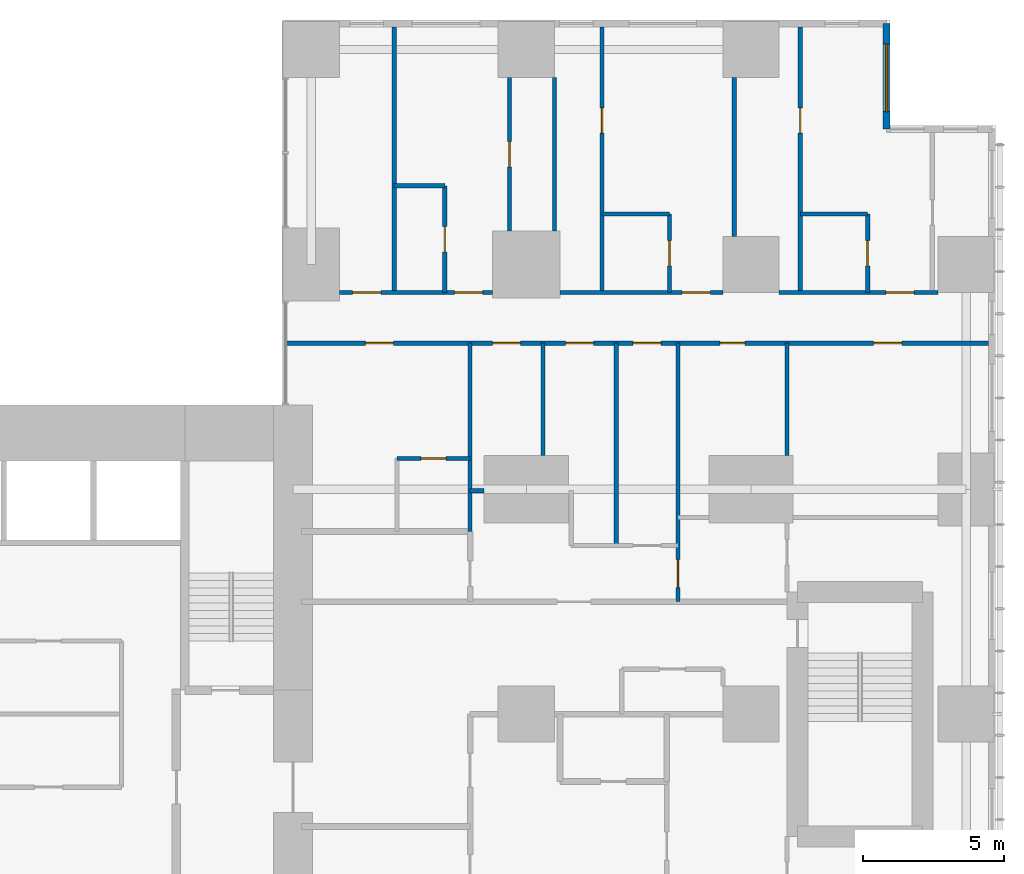
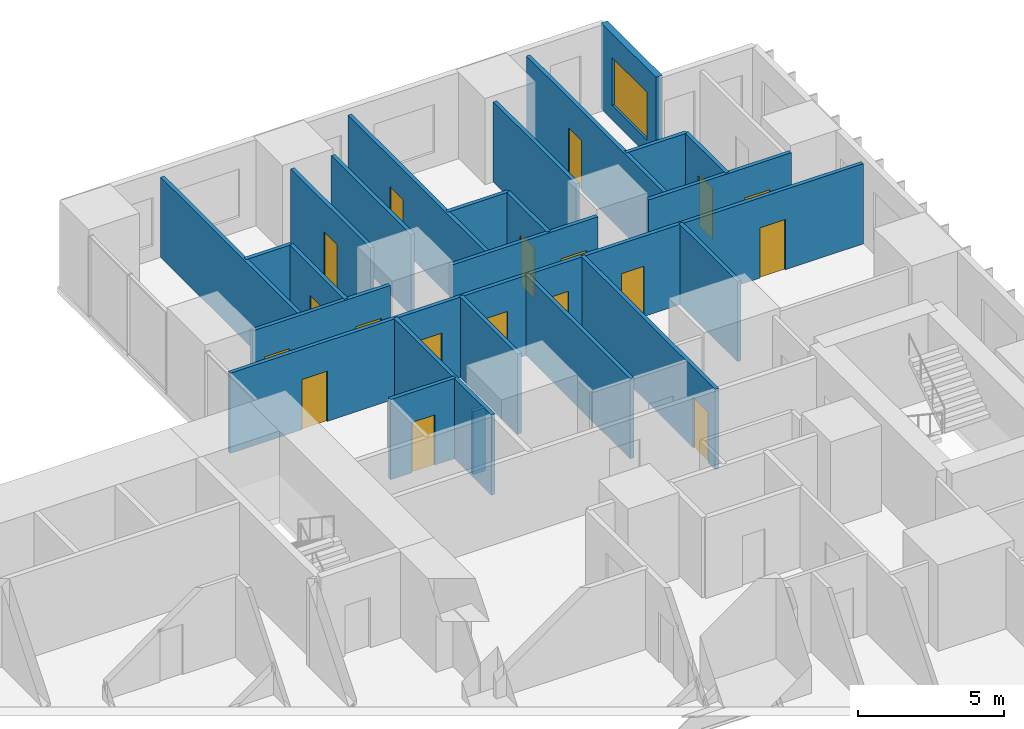
# One storey, part 18 of 21: 24 walls, 18 doors, 1 window, 19 openings.
"""IFC4 building model written with IfcOpenShell, lengths in metres."""

import ifcopenshell
import ifcopenshell.guid

model = None  # the IFC model being written
_history = None  # IfcOwnerHistory: only IFC2X3 demands one
_inside = {}  # id of a spatial element -> (the spatial element, [elements in it])
_under = {}  # id of a project, library or spatial element -> (it, [spatial elements below it])
_declared = {}  # id of a project -> (the project, [libraries it declares])
_typed = {}  # id of a type object -> (the type object, [elements of that type])
_made_of = {}  # id of a material, layer set ... -> (it, [elements and type objects made of it])


def new_model(schema):
    """Start an empty IFC model of exactly this schema.

    Asked for "IFC4X3", IfcOpenShell would pick the latest addendum, in which some entities
    have other attributes; the version numbers below select the first issue.
    IFC2X3 requires an IfcOwnerHistory on every rooted entity: one is made here for all.
    """
    global model, _history
    if schema == "IFC4X3":
        model = ifcopenshell.file(schema_version=(4, 3, 0, 0))
    else:
        model = ifcopenshell.file(schema=schema)
    _inside.clear()
    _under.clear()
    _declared.clear()
    _typed.clear()
    _made_of.clear()
    _history = None
    if model.schema == "IFC2X3":
        org = make("IfcOrganization", Name="unknown")
        user = make(
            "IfcPersonAndOrganization",
            ThePerson=make("IfcPerson", FamilyName="unknown"),
            TheOrganization=org,
        )
        app = make(
            "IfcApplication",
            ApplicationDeveloper=org,
            Version="unknown",
            ApplicationFullName="unknown",
            ApplicationIdentifier="unknown",
        )
        _history = make(
            "IfcOwnerHistory",
            OwningUser=user,
            OwningApplication=app,
            ChangeAction="ADDED",
            CreationDate=0,
        )
    return model


def make(cls, **values):
    """One entity of the class cls with the attributes given. An attribute that is None is left unset."""
    return model.create_entity(
        cls, **{name: value for name, value in values.items() if value is not None}
    )


def rooted(cls, **values):
    """An entity with a GlobalId (a new one), such as an element, a storey or a relation."""
    return make(cls, GlobalId=ifcopenshell.guid.new(), OwnerHistory=_history, **values)


def si_unit(unit_type, name, prefix=None):
    """IfcSIUnit, for example si_unit("LENGTHUNIT", "METRE", prefix="MILLI")."""
    return make("IfcSIUnit", UnitType=unit_type, Prefix=prefix, Name=name)


def assignment(units):
    """IfcUnitAssignment: the units of a project."""
    return None if units is None else make("IfcUnitAssignment", Units=units)


def point(xyz):
    """IfcCartesianPoint."""
    return None if xyz is None else make("IfcCartesianPoint", Coordinates=xyz)


def direction(xyz):
    """IfcDirection."""
    return None if xyz is None else make("IfcDirection", DirectionRatios=xyz)


def frame(location, z_axis=None, x_axis=None):
    """IfcAxis2Placement3D, a coordinate frame: its origin and axes. An axis left out is left unset."""
    return make(
        "IfcAxis2Placement3D",
        Location=point(location),
        Axis=direction(z_axis),
        RefDirection=direction(x_axis),
    )


def frame_2d(location, x_axis=None):
    """IfcAxis2Placement2D, a coordinate frame in the plane: its origin and x axis."""
    return make(
        "IfcAxis2Placement2D", Location=point(location), RefDirection=direction(x_axis)
    )


def origin():
    """The frame at (0, 0, 0) with its axes left unset."""
    return frame((0.0, 0.0, 0.0))


def place(relative_to, where):
    """IfcLocalPlacement: puts the frame where relative to a parent placement (None: the world)."""
    return make(
        "IfcLocalPlacement", PlacementRelTo=relative_to, RelativePlacement=where
    )


def context(
    kind, dimensions, precision=None, world=None, true_north=None, identifier=None
):
    """IfcGeometricRepresentationContext, for example the 3D "Model" context."""
    return make(
        "IfcGeometricRepresentationContext",
        ContextIdentifier=identifier,
        ContextType=kind,
        CoordinateSpaceDimension=dimensions,
        Precision=precision,
        WorldCoordinateSystem=world,
        TrueNorth=true_north,
    )


def subcontext(parent, identifier, kind, view, scale=None):
    """IfcGeometricRepresentationSubContext, for example "Body" below "Model"."""
    return make(
        "IfcGeometricRepresentationSubContext",
        ContextIdentifier=identifier,
        ContextType=kind,
        ParentContext=parent,
        TargetScale=scale,
        TargetView=view,
    )


def project(units=None, contexts=None):
    """IfcProject with its units and contexts."""
    return rooted(
        "IfcProject",
        Name="project",
        RepresentationContexts=contexts,
        UnitsInContext=assignment(units),
    )


def spatial(cls, under=None, at=None, **own):
    """A site, building, storey or space (cls), placed at a placement, below another one or the project."""
    s = rooted(cls, ObjectPlacement=at, **own)
    if under is not None:
        _under.setdefault(under.id(), (under, []))[1].append(s)
    return s


def profile(cls, at=None, kind="AREA", **sizes):
    """A parametric profile (cls). Its sizes go by their IFC names, for example OverallWidth=200.0."""
    return make(cls, ProfileType=kind, Position=at, **sizes)


def rectangle(**sizes):
    """IfcRectangleProfileDef."""
    return profile("IfcRectangleProfileDef", **sizes)


def extrude(swept, where, along, depth):
    """IfcExtrudedAreaSolid: the profile swept, set in the frame where, extruded along a direction by depth."""
    return make(
        "IfcExtrudedAreaSolid",
        SweptArea=swept,
        Position=where,
        ExtrudedDirection=direction(along),
        Depth=depth,
    )


def shape(context_of_items, identifier, shape_type, items):
    """IfcShapeRepresentation: the items that make up one representation, for example the "Body"."""
    return make(
        "IfcShapeRepresentation",
        ContextOfItems=context_of_items,
        RepresentationIdentifier=identifier,
        RepresentationType=shape_type,
        Items=items,
    )


def material(Name=None, Category=None):
    """IfcMaterial."""
    return make("IfcMaterial", Name=Name, Category=Category)


def layer(
    of_material, thickness, ventilated=None, Name=None, Category=None, Priority=None
):
    """IfcMaterialLayer: one layer of a wall or slab, of a material (None: an air gap)."""
    return make(
        "IfcMaterialLayer",
        Material=of_material,
        LayerThickness=thickness,
        IsVentilated=ventilated,
        Name=Name,
        Category=Category,
        Priority=Priority,
    )


def layer_set(layers, Name=None):
    """IfcMaterialLayerSet."""
    return make("IfcMaterialLayerSet", MaterialLayers=layers, LayerSetName=Name)


def made_of(thing, what):
    """Note that an element or type object is made of a material, layer set ...; save() writes the relation."""
    if what is not None:
        _made_of.setdefault(what.id(), (what, []))[1].append(thing)
    return thing


def type_object(cls, material=None, **own):
    """A type object (cls), such as IfcWallType, which elements share."""
    return made_of(rooted(cls, **own), material)


def element(
    cls,
    number,
    at=None,
    inside=None,
    cuts=None,
    type_object=None,
    material=None,
    context=None,
    identifier="Body",
    shape_type=None,
    held_by="IfcProductDefinitionShape",
    body=None,
    shapes=None,
    **own,
):
    """One element of the class cls, such as IfcWall. Its Tag is "e" and its number.

    at: its placement. inside: the storey or other place that contains it. cuts: it is an
    opening in that element (IfcRelVoidsElement). A single representation is given by context,
    identifier, shape_type and body (its items); several are given by shapes. held_by: the class
    of the entity that holds the representations. save() writes the other relations.
    """
    e = rooted(cls, Tag="e%d" % number, ObjectPlacement=at, **own)
    if body is not None:
        shapes = [shape(context, identifier, shape_type, body)]
    if shapes is not None:
        e.Representation = make(held_by, Representations=shapes)
    if inside is not None:
        _inside.setdefault(inside.id(), (inside, []))[1].append(e)
    if cuts is not None:
        rooted(
            "IfcRelVoidsElement", RelatingBuildingElement=cuts, RelatedOpeningElement=e
        )
    if type_object is not None:
        _typed.setdefault(type_object.id(), (type_object, []))[1].append(e)
    return made_of(e, material)


def fill(opening, filler):
    """IfcRelFillsElement: the door or window that sits in an opening."""
    return rooted(
        "IfcRelFillsElement",
        RelatingOpeningElement=opening,
        RelatedBuildingElement=filler,
    )


def aggregate(whole, parts):
    """IfcRelAggregates: a whole, such as a stair, and the parts it consists of."""
    return rooted("IfcRelAggregates", RelatingObject=whole, RelatedObjects=parts)


def save(model, path):
    """Write the relations noted so far, then the file.

    IfcRelAggregates (storeys below a building ...), IfcRelContainedInSpatialStructure (elements
    in a storey), IfcRelDefinesByType, IfcRelAssociatesMaterial and IfcRelDeclares: one each for
    every whole, place, type object, material and project.
    """
    for whole, parts in _under.values():
        aggregate(whole, parts)
    for where, things in _inside.values():
        rooted(
            "IfcRelContainedInSpatialStructure",
            RelatedElements=things,
            RelatingStructure=where,
        )
    for kind, things in _typed.values():
        rooted("IfcRelDefinesByType", RelatedObjects=things, RelatingType=kind)
    for what, things in _made_of.values():
        rooted("IfcRelAssociatesMaterial", RelatedObjects=things, RelatingMaterial=what)
    for by, libraries in _declared.values():
        rooted("IfcRelDeclares", RelatingContext=by, RelatedDefinitions=libraries)
    model.write(path)


model = new_model("IFC4")

# Units and contexts
model_context = context("Model", 3, precision=1e-05, world=origin(), true_north=direction((0.0, 1.0)))
body_context = subcontext(model_context, "Body", "Model", "MODEL_VIEW")
ifc_project = project(units=[si_unit("LENGTHUNIT", "METRE"), si_unit("AREAUNIT", "SQUARE_METRE"), si_unit("VOLUMEUNIT", "CUBIC_METRE"), si_unit("PLANEANGLEUNIT", "RADIAN"), si_unit("MASSUNIT", "GRAM", prefix="KILO")], contexts=[model_context])

# Site, building, storey
site_placement = place(None, origin())
site = spatial("IfcSite", under=ifc_project, at=site_placement, CompositionType="ELEMENT")
building_placement = place(site_placement, origin())
building = spatial("IfcBuilding", under=site, at=building_placement, Name="Cleftline Residences", CompositionType="ELEMENT")
storey_placement = place(building_placement, frame((0.0, 0.0, 58.39990234375)))
storey = spatial("IfcBuildingStorey", under=building, at=storey_placement, Name="L14", CompositionType="ELEMENT", Elevation=58.39990234375)

# Wall, opening, window
ifc_material_1 = material(Name="Rendered reinforced concrete blockwork", Category="masonry")
ifc_layer_1 = layer(ifc_material_1, 0.25)
ifc_layer_set_1 = layer_set([ifc_layer_1], Name="EXTERNAL WALL 250")
wall_type_1 = type_object("IfcWallType", Name="EXTERNAL WALL 250", PredefinedType="SOLIDWALL", material=ifc_layer_set_1)
wall_1_placement = place(storey_placement, frame((62.824951171875, 44.824951171875, 0.0), z_axis=(0.0, 0.0, 1.0), x_axis=(0.0, 1.0, 0.0)))
wall_1 = element("IfcWall", 1, at=wall_1_placement, inside=storey, type_object=wall_type_1, Name="External wall", PredefinedType="SOLIDWALL", context=body_context, shape_type="SweptSolid", body=[
    extrude(rectangle(XDim=3.75, YDim=0.25, at=frame_2d((1.875, 0.0))), origin(), (0.0, 0.0, 1.0), 3.60009765625),
])
opening_1_placement = place(wall_1_placement, frame((0.612548828125, 0.0, 0.60009765625)))
opening_1 = element("IfcOpeningElement", 2, at=opening_1_placement, cuts=wall_1, Name="Opening W6", PredefinedType="OPENING", context=body_context, shape_type="SweptSolid", body=[
    extrude(rectangle(XDim=2.39990234375, YDim=2.0, at=frame_2d((1.199951171875, 1.0))), frame((0.0, 0.135009765625, 0.0), z_axis=(0.0, -1.0, 0.0), x_axis=(1.0, 0.0, 0.0)), (0.0, 0.0, 1.0), 0.27001953125),
])
ifc_material_2 = material(Name="Aluminium frame, clear double glazing", Category="aluminium")
window_type = type_object("IfcWindowType", Name="WINDOW 2400X2000", PartitioningType="DOUBLE_PANEL_VERTICAL", PredefinedType="WINDOW", material=ifc_material_2)
window_placement = place(opening_1_placement, origin())
window = element("IfcWindow", 3, at=window_placement, inside=storey, type_object=window_type, Name="Window", OverallHeight=2.0, OverallWidth=2.39990234375, PartitioningType="SINGLE_PANEL", PredefinedType="WINDOW", context=body_context, shape_type="SweptSolid", body=[
    extrude(rectangle(XDim=2.39990234375, YDim=2.0, at=frame_2d((1.199951171875, 1.0))), frame((0.0, 0.030029296875, 0.0), z_axis=(0.0, -1.0, 0.0), x_axis=(1.0, 0.0, 0.0)), (0.0, 0.0, 1.0), 0.06005859375),
])
fill(opening_1, window)

# Wall
ifc_material_3 = material(Name="Gypsum board on steel studs", Category="steel")
ifc_layer_2 = layer(ifc_material_3, 0.14990234375)
ifc_layer_set_2 = layer_set([ifc_layer_2], Name="PARTITION 150")
wall_type_2 = type_object("IfcWallType", Name="PARTITION 150", PredefinedType="PARTITIONING", material=ifc_layer_set_2)
wall_2_placement = place(storey_placement, frame((48.0, 31.949951171875, 0.0), z_axis=(0.0, 0.0, 1.0), x_axis=(1.0, 0.0, 0.0)))
element("IfcWall", 4, at=wall_2_placement, inside=storey, type_object=wall_type_2, Name="Partition", PredefinedType="PARTITIONING", context=body_context, shape_type="SweptSolid", body=[
    extrude(rectangle(XDim=0.5, YDim=0.14990234375, at=frame_2d((0.25, 0.0))), origin(), (0.0, 0.0, 1.0), 2.634033203125),
])

# Wall, opening, door
wall_3_placement = place(storey_placement, frame((45.39990234375, 33.10009765625, 0.0), z_axis=(0.0, 0.0, 1.0), x_axis=(1.0, 0.0, 0.0)))
wall_3 = element("IfcWall", 5, at=wall_3_placement, inside=storey, type_object=wall_type_2, Name="Partition", PredefinedType="PARTITIONING", context=body_context, shape_type="SweptSolid", body=[
    extrude(rectangle(XDim=2.60009765625, YDim=0.14990234375, at=frame_2d((1.300048828125, 0.0))), origin(), (0.0, 0.0, 1.0), 3.35009765625),
])
opening_2_placement = place(wall_3_placement, frame((0.85009765625, 0.0, 0.0)))
opening_2 = element("IfcOpeningElement", 6, at=opening_2_placement, cuts=wall_3, Name="Opening D1", PredefinedType="OPENING", context=body_context, shape_type="SweptSolid", body=[
    extrude(rectangle(XDim=0.89990234375, YDim=2.10009765625, at=frame_2d((0.449951171875, 1.050048828125))), frame((0.0, 0.0849609375, 0.0), z_axis=(0.0, -1.0, 0.0), x_axis=(1.0, 0.0, 0.0)), (0.0, 0.0, 1.0), 0.169921875),
])
ifc_material_4 = material(Name="Timber veneer on solid core", Category="wood")
door_type_1 = type_object("IfcDoorType", Name="DOOR 900X2100", OperationType="SINGLE_SWING_LEFT", PredefinedType="DOOR", material=ifc_material_4)
door_1_placement = place(opening_2_placement, origin())
door_1 = element("IfcDoor", 7, at=door_1_placement, inside=storey, type_object=door_type_1, Name="Door to master bathroom", OperationType="SINGLE_SWING_LEFT", OverallHeight=2.10009765625, OverallWidth=0.89990234375, PredefinedType="DOOR", context=body_context, shape_type="SweptSolid", body=[
    extrude(rectangle(XDim=0.89990234375, YDim=2.10009765625, at=frame_2d((0.449951171875, 1.050048828125))), frame((0.0, 0.02490234375, 0.0), z_axis=(0.0, -1.0, 0.0), x_axis=(1.0, 0.0, 0.0)), (0.0, 0.0, 1.0), 0.050048828125),
])
fill(opening_2, door_1)

# Wall, openings, doors
wall_4_placement = place(storey_placement, frame((41.43896484375, 37.199951171875, 0.0), z_axis=(0.0, 0.0, 1.0), x_axis=(1.0, 0.0, 0.0)))
wall_4 = element("IfcWall", 8, at=wall_4_placement, inside=storey, type_object=wall_type_2, Name="Partition", PredefinedType="PARTITIONING", context=body_context, shape_type="SweptSolid", body=[
    extrude(rectangle(XDim=25.010986328125, YDim=0.14990234375, at=frame_2d((12.50537109375, 0.0))), origin(), (0.0, 0.0, 1.0), 3.35009765625),
])
opening_3_placement = place(wall_4_placement, frame((12.361083984375, 0.0, 0.0)))
opening_3 = element("IfcOpeningElement", 9, at=opening_3_placement, cuts=wall_4, Name="Opening D2", PredefinedType="OPENING", context=body_context, shape_type="SweptSolid", body=[
    extrude(rectangle(XDim=1.0, YDim=2.10009765625, at=frame_2d((0.5, 1.050048828125))), frame((0.0, 0.0849609375, 0.0), z_axis=(0.0, -1.0, 0.0), x_axis=(1.0, 0.0, 0.0)), (0.0, 0.0, 1.0), 0.169921875),
])
opening_4_placement = place(wall_4_placement, frame((20.923583984375, 0.0, 0.0)))
opening_4 = element("IfcOpeningElement", 10, at=opening_4_placement, cuts=wall_4, Name="Opening D2", PredefinedType="OPENING", context=body_context, shape_type="SweptSolid", body=[
    extrude(rectangle(XDim=1.0, YDim=2.10009765625, at=frame_2d((0.5, 1.050048828125))), frame((0.0, 0.0849609375, 0.0), z_axis=(0.0, -1.0, 0.0), x_axis=(1.0, 0.0, 0.0)), (0.0, 0.0, 1.0), 0.169921875),
])
opening_5_placement = place(wall_4_placement, frame((15.448486328125, 0.0, 0.0)))
opening_5 = element("IfcOpeningElement", 11, at=opening_5_placement, cuts=wall_4, Name="Opening D1", PredefinedType="OPENING", context=body_context, shape_type="SweptSolid", body=[
    extrude(rectangle(XDim=0.89990234375, YDim=2.10009765625, at=frame_2d((0.449951171875, 1.050048828125))), frame((0.0, 0.0849609375, 0.0), z_axis=(0.0, -1.0, 0.0), x_axis=(1.0, 0.0, 0.0)), (0.0, 0.0, 1.0), 0.169921875),
])
opening_6_placement = place(wall_4_placement, frame((9.9609375, 0.0, 0.0)))
opening_6 = element("IfcOpeningElement", 12, at=opening_6_placement, cuts=wall_4, Name="Opening D2", PredefinedType="OPENING", context=body_context, shape_type="SweptSolid", body=[
    extrude(rectangle(XDim=1.0, YDim=2.10009765625, at=frame_2d((0.5, 1.050048828125))), frame((0.0, 0.0849609375, 0.0), z_axis=(0.0, -1.0, 0.0), x_axis=(1.0, 0.0, 0.0)), (0.0, 0.0, 1.0), 0.169921875),
])
opening_7_placement = place(wall_4_placement, frame((7.361083984375, 0.0, 0.0)))
opening_7 = element("IfcOpeningElement", 13, at=opening_7_placement, cuts=wall_4, Name="Opening D2", PredefinedType="OPENING", context=body_context, shape_type="SweptSolid", body=[
    extrude(rectangle(XDim=1.0, YDim=2.10009765625, at=frame_2d((0.5, 1.050048828125))), frame((0.0, 0.0849609375, 0.0), z_axis=(0.0, -1.0, 0.0), x_axis=(1.0, 0.0, 0.0)), (0.0, 0.0, 1.0), 0.169921875),
])
opening_8_placement = place(wall_4_placement, frame((2.8359375, 0.0, 0.0)))
opening_8 = element("IfcOpeningElement", 14, at=opening_8_placement, cuts=wall_4, Name="Opening D2", PredefinedType="OPENING", context=body_context, shape_type="SweptSolid", body=[
    extrude(rectangle(XDim=1.0, YDim=2.10009765625, at=frame_2d((0.5, 1.050048828125))), frame((0.0, 0.0849609375, 0.0), z_axis=(0.0, -1.0, 0.0), x_axis=(1.0, 0.0, 0.0)), (0.0, 0.0, 1.0), 0.169921875),
])
ifc_material_5 = material(Name="Timber veneer on solid core", Category="wood")
door_type_2 = type_object("IfcDoorType", Name="DOOR 1000X2100", OperationType="SINGLE_SWING_LEFT", PredefinedType="DOOR", material=ifc_material_5)
door_2_placement = place(opening_3_placement, origin())
door_2 = element("IfcDoor", 15, at=door_2_placement, inside=storey, type_object=door_type_2, Name="Door to residence hall", OperationType="SINGLE_SWING_LEFT", OverallHeight=2.10009765625, OverallWidth=1.0, PredefinedType="DOOR", context=body_context, shape_type="SweptSolid", body=[
    extrude(rectangle(XDim=1.0, YDim=2.10009765625, at=frame_2d((0.5, 1.050048828125))), frame((0.0, 0.02490234375, 0.0), z_axis=(0.0, -1.0, 0.0), x_axis=(1.0, 0.0, 0.0)), (0.0, 0.0, 1.0), 0.050048828125),
])
fill(opening_3, door_2)
door_3_placement = place(opening_4_placement, origin())
door_3 = element("IfcDoor", 16, at=door_3_placement, inside=storey, type_object=door_type_2, Name="Door to sea-view living and dining room", OperationType="SINGLE_SWING_LEFT", OverallHeight=2.10009765625, OverallWidth=1.0, PredefinedType="DOOR", context=body_context, shape_type="SweptSolid", body=[
    extrude(rectangle(XDim=1.0, YDim=2.10009765625, at=frame_2d((0.5, 1.050048828125))), frame((0.0, 0.02490234375, 0.0), z_axis=(0.0, -1.0, 0.0), x_axis=(1.0, 0.0, 0.0)), (0.0, 0.0, 1.0), 0.050048828125),
])
fill(opening_4, door_3)
door_4_placement = place(opening_6_placement, origin())
door_4 = element("IfcDoor", 17, at=door_4_placement, inside=storey, type_object=door_type_2, Name="Door to show kitchen", OperationType="SINGLE_SWING_RIGHT", OverallHeight=2.10009765625, OverallWidth=1.0, PredefinedType="DOOR", context=body_context, shape_type="SweptSolid", body=[
    extrude(rectangle(XDim=1.0, YDim=2.10009765625, at=frame_2d((0.5, 1.050048828125))), frame((0.0, 0.02490234375, 0.0), z_axis=(0.0, -1.0, 0.0), x_axis=(1.0, 0.0, 0.0)), (0.0, 0.0, 1.0), 0.050048828125),
])
fill(opening_6, door_4)
door_5_placement = place(opening_7_placement, origin())
door_5 = element("IfcDoor", 18, at=door_5_placement, inside=storey, type_object=door_type_2, Name="Door to wet kitchen", OperationType="SINGLE_SWING_RIGHT", OverallHeight=2.10009765625, OverallWidth=1.0, PredefinedType="DOOR", context=body_context, shape_type="SweptSolid", body=[
    extrude(rectangle(XDim=1.0, YDim=2.10009765625, at=frame_2d((0.5, 1.050048828125))), frame((0.0, 0.02490234375, 0.0), z_axis=(0.0, -1.0, 0.0), x_axis=(1.0, 0.0, 0.0)), (0.0, 0.0, 1.0), 0.050048828125),
])
fill(opening_7, door_5)
door_6_placement = place(opening_8_placement, origin())
door_6 = element("IfcDoor", 19, at=door_6_placement, inside=storey, type_object=door_type_2, Name="Door to master bedroom", OperationType="SINGLE_SWING_RIGHT", OverallHeight=2.10009765625, OverallWidth=1.0, PredefinedType="DOOR", context=body_context, shape_type="SweptSolid", body=[
    extrude(rectangle(XDim=1.0, YDim=2.10009765625, at=frame_2d((0.5, 1.050048828125))), frame((0.0, 0.02490234375, 0.0), z_axis=(0.0, -1.0, 0.0), x_axis=(1.0, 0.0, 0.0)), (0.0, 0.0, 1.0), 0.050048828125),
])
fill(opening_8, door_6)
door_7_placement = place(opening_5_placement, origin())
door_7 = element("IfcDoor", 20, at=door_7_placement, inside=storey, type_object=door_type_1, Name="Door to store room", OperationType="SINGLE_SWING_LEFT", OverallHeight=2.10009765625, OverallWidth=0.89990234375, PredefinedType="DOOR", context=body_context, shape_type="SweptSolid", body=[
    extrude(rectangle(XDim=0.89990234375, YDim=2.10009765625, at=frame_2d((0.449951171875, 1.050048828125))), frame((0.0, 0.02490234375, 0.0), z_axis=(0.0, -1.0, 0.0), x_axis=(1.0, 0.0, 0.0)), (0.0, 0.0, 1.0), 0.050048828125),
])
fill(opening_5, door_7)

wall_5_placement = place(storey_placement, frame((43.35009765625, 39.0, 0.0), z_axis=(0.0, 0.0, 1.0), x_axis=(1.0, 0.0, 0.0)))
wall_5 = element("IfcWall", 21, at=wall_5_placement, inside=storey, type_object=wall_type_2, Name="Partition", PredefinedType="PARTITIONING", context=body_context, shape_type="SweptSolid", body=[
    extrude(rectangle(XDim=5.449951171875, YDim=0.14990234375, at=frame_2d((2.72509765625, 0.0))), origin(), (0.0, 0.0, 1.0), 3.35009765625),
])
opening_9_placement = place(wall_5_placement, frame((4.10009765625, 0.0, 0.0)))
opening_9 = element("IfcOpeningElement", 22, at=opening_9_placement, cuts=wall_5, Name="Opening D2", PredefinedType="OPENING", context=body_context, shape_type="SweptSolid", body=[
    extrude(rectangle(XDim=1.0, YDim=2.10009765625, at=frame_2d((0.5, 1.050048828125))), frame((0.0, 0.0849609375, 0.0), z_axis=(0.0, -1.0, 0.0), x_axis=(1.0, 0.0, 0.0)), (0.0, 0.0, 1.0), 0.169921875),
])
opening_10_placement = place(wall_5_placement, frame((0.47509765625, 0.0, 0.0)))
opening_10 = element("IfcOpeningElement", 23, at=opening_10_placement, cuts=wall_5, Name="Opening D2", PredefinedType="OPENING", context=body_context, shape_type="SweptSolid", body=[
    extrude(rectangle(XDim=1.0, YDim=2.10009765625, at=frame_2d((0.5, 1.050048828125))), frame((0.0, 0.0849609375, 0.0), z_axis=(0.0, -1.0, 0.0), x_axis=(1.0, 0.0, 0.0)), (0.0, 0.0, 1.0), 0.169921875),
])
door_8_placement = place(opening_9_placement, origin())
door_8 = element("IfcDoor", 24, at=door_8_placement, inside=storey, type_object=door_type_2, Name="Door to bedroom 4", OperationType="SINGLE_SWING_LEFT", OverallHeight=2.10009765625, OverallWidth=1.0, PredefinedType="DOOR", context=body_context, shape_type="SweptSolid", body=[
    extrude(rectangle(XDim=1.0, YDim=2.10009765625, at=frame_2d((0.5, 1.050048828125))), frame((0.0, 0.02490234375, 0.0), z_axis=(0.0, -1.0, 0.0), x_axis=(1.0, 0.0, 0.0)), (0.0, 0.0, 1.0), 0.050048828125),
])
fill(opening_9, door_8)
door_9_placement = place(opening_10_placement, origin())
door_9 = element("IfcDoor", 25, at=door_9_placement, inside=storey, type_object=door_type_2, Name="Door to family room", OperationType="SINGLE_SWING_RIGHT", OverallHeight=2.10009765625, OverallWidth=1.0, PredefinedType="DOOR", context=body_context, shape_type="SweptSolid", body=[
    extrude(rectangle(XDim=1.0, YDim=2.10009765625, at=frame_2d((0.5, 1.050048828125))), frame((0.0, 0.02490234375, 0.0), z_axis=(0.0, -1.0, 0.0), x_axis=(1.0, 0.0, 0.0)), (0.0, 0.0, 1.0), 0.050048828125),
])
fill(opening_10, door_9)

# Wall, opening, door
wall_6_placement = place(storey_placement, frame((51.199951171875, 39.0, 0.0), z_axis=(0.0, 0.0, 1.0), x_axis=(1.0, 0.0, 0.0)))
wall_6 = element("IfcWall", 26, at=wall_6_placement, inside=storey, type_object=wall_type_2, Name="Partition", PredefinedType="PARTITIONING", context=body_context, shape_type="SweptSolid", body=[
    extrude(rectangle(XDim=5.800048828125, YDim=0.14990234375, at=frame_2d((2.89990234375, 0.0))), origin(), (0.0, 0.0, 1.0), 3.35009765625),
])
opening_11_placement = place(wall_6_placement, frame((4.35009765625, 0.0, 0.0)))
opening_11 = element("IfcOpeningElement", 27, at=opening_11_placement, cuts=wall_6, Name="Opening D2", PredefinedType="OPENING", context=body_context, shape_type="SweptSolid", body=[
    extrude(rectangle(XDim=1.0, YDim=2.10009765625, at=frame_2d((0.5, 1.050048828125))), frame((0.0, 0.0849609375, 0.0), z_axis=(0.0, -1.0, 0.0), x_axis=(1.0, 0.0, 0.0)), (0.0, 0.0, 1.0), 0.169921875),
])
door_10_placement = place(opening_11_placement, origin())
door_10 = element("IfcDoor", 28, at=door_10_placement, inside=storey, type_object=door_type_2, Name="Door to bedroom 3", OperationType="SINGLE_SWING_LEFT", OverallHeight=2.10009765625, OverallWidth=1.0, PredefinedType="DOOR", context=body_context, shape_type="SweptSolid", body=[
    extrude(rectangle(XDim=1.0, YDim=2.10009765625, at=frame_2d((0.5, 1.050048828125))), frame((0.0, 0.02490234375, 0.0), z_axis=(0.0, -1.0, 0.0), x_axis=(1.0, 0.0, 0.0)), (0.0, 0.0, 1.0), 0.050048828125),
])
fill(opening_11, door_10)

wall_7_placement = place(storey_placement, frame((59.0, 39.0, 0.0), z_axis=(0.0, 0.0, 1.0), x_axis=(1.0, 0.0, 0.0)))
wall_7 = element("IfcWall", 29, at=wall_7_placement, inside=storey, type_object=wall_type_2, Name="Partition", PredefinedType="PARTITIONING", context=body_context, shape_type="SweptSolid", body=[
    extrude(rectangle(XDim=5.64990234375, YDim=0.14990234375, at=frame_2d((2.824951171875, 0.0))), origin(), (0.0, 0.0, 1.0), 3.35009765625),
])
opening_12_placement = place(wall_7_placement, frame((3.800048828125, 0.0, 0.0)))
opening_12 = element("IfcOpeningElement", 30, at=opening_12_placement, cuts=wall_7, Name="Opening D2", PredefinedType="OPENING", context=body_context, shape_type="SweptSolid", body=[
    extrude(rectangle(XDim=1.0, YDim=2.10009765625, at=frame_2d((0.5, 1.050048828125))), frame((0.0, 0.0849609375, 0.0), z_axis=(0.0, -1.0, 0.0), x_axis=(1.0, 0.0, 0.0)), (0.0, 0.0, 1.0), 0.169921875),
])
door_11_placement = place(opening_12_placement, origin())
door_11 = element("IfcDoor", 31, at=door_11_placement, inside=storey, type_object=door_type_2, Name="Door to bedroom 2", OperationType="SINGLE_SWING_LEFT", OverallHeight=2.10009765625, OverallWidth=1.0, PredefinedType="DOOR", context=body_context, shape_type="SweptSolid", body=[
    extrude(rectangle(XDim=1.0, YDim=2.10009765625, at=frame_2d((0.5, 1.050048828125))), frame((0.0, 0.02490234375, 0.0), z_axis=(0.0, -1.0, 0.0), x_axis=(1.0, 0.0, 0.0)), (0.0, 0.0, 1.0), 0.050048828125),
])
fill(opening_12, door_11)

# Walls
wall_8_placement = place(storey_placement, frame((52.699951171875, 41.800048828125, 0.0), z_axis=(0.0, 0.0, 1.0), x_axis=(1.0, 0.0, 0.0)))
element("IfcWall", 32, at=wall_8_placement, inside=storey, type_object=wall_type_2, Name="Partition", PredefinedType="PARTITIONING", context=body_context, shape_type="SweptSolid", body=[
    extrude(rectangle(XDim=2.400146484375, YDim=0.14990234375, at=frame_2d((1.2001953125, 0.0))), origin(), (0.0, 0.0, 1.0), 3.35009765625),
])
wall_9_placement = place(storey_placement, frame((59.75, 41.800048828125, 0.0), z_axis=(0.0, 0.0, 1.0), x_axis=(1.0, 0.0, 0.0)))
element("IfcWall", 33, at=wall_9_placement, inside=storey, type_object=wall_type_2, Name="Partition", PredefinedType="PARTITIONING", context=body_context, shape_type="SweptSolid", body=[
    extrude(rectangle(XDim=2.39990234375, YDim=0.14990234375, at=frame_2d((1.199951171875, 0.0))), origin(), (0.0, 0.0, 1.0), 3.35009765625),
])
wall_10_placement = place(storey_placement, frame((45.300048828125, 42.800048828125, 0.0), z_axis=(0.0, 0.0, 1.0), x_axis=(1.0, 0.0, 0.0)))
element("IfcWall", 34, at=wall_10_placement, inside=storey, type_object=wall_type_2, Name="Partition", PredefinedType="PARTITIONING", context=body_context, shape_type="SweptSolid", body=[
    extrude(rectangle(XDim=1.800048828125, YDim=0.14990234375, at=frame_2d((0.89990234375, 0.0))), origin(), (0.0, 0.0, 1.0), 3.35009765625),
])
wall_11_placement = place(storey_placement, frame((45.300048828125, 39.0, 0.0), z_axis=(0.0, 0.0, 1.0), x_axis=(0.0, 1.0, 0.0)))
element("IfcWall", 35, at=wall_11_placement, inside=storey, type_object=wall_type_2, Name="Partition", PredefinedType="PARTITIONING", context=body_context, shape_type="SweptSolid", body=[
    extrude(rectangle(XDim=9.449951171875, YDim=0.14990234375, at=frame_2d((4.72509765625, 0.0))), origin(), (0.0, 0.0, 1.0), 3.35009765625),
])

# Wall, opening, door
wall_12_placement = place(storey_placement, frame((47.10009765625, 39.0, 0.0), z_axis=(0.0, 0.0, 1.0), x_axis=(0.0, 1.0, 0.0)))
wall_12 = element("IfcWall", 36, at=wall_12_placement, inside=storey, type_object=wall_type_2, Name="Partition", PredefinedType="PARTITIONING", context=body_context, shape_type="SweptSolid", body=[
    extrude(rectangle(XDim=3.800048828125, YDim=0.14990234375, at=frame_2d((1.89990234375, 0.0))), origin(), (0.0, 0.0, 1.0), 3.35009765625),
])
opening_13_placement = place(wall_12_placement, frame((1.449951171875, 0.0, 0.0)))
opening_13 = element("IfcOpeningElement", 37, at=opening_13_placement, cuts=wall_12, Name="Opening D1", PredefinedType="OPENING", context=body_context, shape_type="SweptSolid", body=[
    extrude(rectangle(XDim=0.89990234375, YDim=2.10009765625, at=frame_2d((0.449951171875, 1.050048828125))), frame((0.0, 0.0849609375, 0.0), z_axis=(0.0, -1.0, 0.0), x_axis=(1.0, 0.0, 0.0)), (0.0, 0.0, 1.0), 0.169921875),
])
door_12_placement = place(opening_13_placement, origin())
door_12 = element("IfcDoor", 38, at=door_12_placement, inside=storey, type_object=door_type_1, Name="Door to en-suite bathroom 4", OperationType="SINGLE_SWING_LEFT", OverallHeight=2.10009765625, OverallWidth=0.89990234375, PredefinedType="DOOR", context=body_context, shape_type="SweptSolid", body=[
    extrude(rectangle(XDim=0.89990234375, YDim=2.10009765625, at=frame_2d((0.449951171875, 1.050048828125))), frame((0.0, 0.02490234375, 0.0), z_axis=(0.0, -1.0, 0.0), x_axis=(1.0, 0.0, 0.0)), (0.0, 0.0, 1.0), 0.050048828125),
])
fill(opening_13, door_12)

# Wall
wall_13_placement = place(storey_placement, frame((48.0, 30.5, 0.0), z_axis=(0.0, 0.0, 1.0), x_axis=(0.0, 1.0, 0.0)))
element("IfcWall", 39, at=wall_13_placement, inside=storey, type_object=wall_type_2, Name="Partition", PredefinedType="PARTITIONING", context=body_context, shape_type="SweptSolid", body=[
    extrude(rectangle(XDim=6.699951171875, YDim=0.14990234375, at=frame_2d((3.35009765625, 0.0))), origin(), (0.0, 0.0, 1.0), 3.35009765625),
])

# Wall, opening, door
wall_14_placement = place(storey_placement, frame((49.39990234375, 41.199951171875, 0.0), z_axis=(0.0, 0.0, 1.0), x_axis=(0.0, 1.0, 0.0)))
wall_14 = element("IfcWall", 40, at=wall_14_placement, inside=storey, type_object=wall_type_2, Name="Partition", PredefinedType="PARTITIONING", context=body_context, shape_type="SweptSolid", body=[
    extrude(rectangle(XDim=5.449951171875, YDim=0.14990234375, at=frame_2d((2.72509765625, 0.0))), origin(), (0.0, 0.0, 1.0), 3.35009765625),
])
opening_14_placement = place(wall_14_placement, frame((2.27490234375, 0.0, 0.0)))
opening_14 = element("IfcOpeningElement", 41, at=opening_14_placement, cuts=wall_14, Name="Opening D1", PredefinedType="OPENING", context=body_context, shape_type="SweptSolid", body=[
    extrude(rectangle(XDim=0.89990234375, YDim=2.10009765625, at=frame_2d((0.449951171875, 1.050048828125))), frame((0.0, 0.0849609375, 0.0), z_axis=(0.0, -1.0, 0.0), x_axis=(1.0, 0.0, 0.0)), (0.0, 0.0, 1.0), 0.169921875),
])
door_13_placement = place(opening_14_placement, origin())
door_13 = element("IfcDoor", 42, at=door_13_placement, inside=storey, type_object=door_type_1, Name="Door to walk-in wardrobe", OperationType="SINGLE_SWING_LEFT", OverallHeight=2.10009765625, OverallWidth=0.89990234375, PredefinedType="DOOR", context=body_context, shape_type="SweptSolid", body=[
    extrude(rectangle(XDim=0.89990234375, YDim=2.10009765625, at=frame_2d((0.449951171875, 1.050048828125))), frame((0.0, 0.02490234375, 0.0), z_axis=(0.0, -1.0, 0.0), x_axis=(1.0, 0.0, 0.0)), (0.0, 0.0, 1.0), 0.050048828125),
])
fill(opening_14, door_13)

# Walls
wall_15_placement = place(storey_placement, frame((50.60009765625, 33.199951171875, 0.0), z_axis=(0.0, 0.0, 1.0), x_axis=(0.0, 1.0, 0.0)))
element("IfcWall", 43, at=wall_15_placement, inside=storey, type_object=wall_type_2, Name="Partition", PredefinedType="PARTITIONING", context=body_context, shape_type="SweptSolid", body=[
    extrude(rectangle(XDim=4.0, YDim=0.14990234375, at=frame_2d((2.0, 0.0))), origin(), (0.0, 0.0, 1.0), 3.35009765625),
])
wall_16_placement = place(storey_placement, frame((51.0, 41.199951171875, 0.0), z_axis=(0.0, 0.0, 1.0), x_axis=(0.0, 1.0, 0.0)))
element("IfcWall", 44, at=wall_16_placement, inside=storey, type_object=wall_type_2, Name="Partition", PredefinedType="PARTITIONING", context=body_context, shape_type="SweptSolid", body=[
    extrude(rectangle(XDim=5.449951171875, YDim=0.14990234375, at=frame_2d((2.72509765625, 0.0))), origin(), (0.0, 0.0, 1.0), 3.35009765625),
])

# Wall, opening, door
wall_17_placement = place(storey_placement, frame((52.699951171875, 39.0, 0.0), z_axis=(0.0, 0.0, 1.0), x_axis=(0.0, 1.0, 0.0)))
wall_17 = element("IfcWall", 45, at=wall_17_placement, inside=storey, type_object=wall_type_2, Name="Partition", PredefinedType="PARTITIONING", context=body_context, shape_type="SweptSolid", body=[
    extrude(rectangle(XDim=9.449951171875, YDim=0.14990234375, at=frame_2d((4.72509765625, 0.0))), origin(), (0.0, 0.0, 1.0), 3.35009765625),
])
opening_15_placement = place(wall_17_placement, frame((5.675048828125, 0.0, 0.0)))
opening_15 = element("IfcOpeningElement", 46, at=opening_15_placement, cuts=wall_17, Name="Opening D1", PredefinedType="OPENING", context=body_context, shape_type="SweptSolid", body=[
    extrude(rectangle(XDim=0.89990234375, YDim=2.10009765625, at=frame_2d((0.449951171875, 1.050048828125))), frame((0.0, 0.0849609375, 0.0), z_axis=(0.0, -1.0, 0.0), x_axis=(1.0, 0.0, 0.0)), (0.0, 0.0, 1.0), 0.169921875),
])
door_14_placement = place(opening_15_placement, origin())
door_14 = element("IfcDoor", 47, at=door_14_placement, inside=storey, type_object=door_type_1, Name="Door to walk-in wardrobe", OperationType="SINGLE_SWING_LEFT", OverallHeight=2.10009765625, OverallWidth=0.89990234375, PredefinedType="DOOR", context=body_context, shape_type="SweptSolid", body=[
    extrude(rectangle(XDim=0.89990234375, YDim=2.10009765625, at=frame_2d((0.449951171875, 1.050048828125))), frame((0.0, 0.02490234375, 0.0), z_axis=(0.0, -1.0, 0.0), x_axis=(1.0, 0.0, 0.0)), (0.0, 0.0, 1.0), 0.050048828125),
])
fill(opening_15, door_14)

# Wall
wall_18_placement = place(storey_placement, frame((53.199951171875, 30.0, 0.0), z_axis=(0.0, 0.0, 1.0), x_axis=(0.0, 1.0, 0.0)))
element("IfcWall", 48, at=wall_18_placement, inside=storey, type_object=wall_type_2, Name="Partition", PredefinedType="PARTITIONING", context=body_context, shape_type="SweptSolid", body=[
    extrude(rectangle(XDim=7.199951171875, YDim=0.14990234375, at=frame_2d((3.60009765625, 0.0))), origin(), (0.0, 0.0, 1.0), 3.35009765625),
])

# Wall, opening, door
wall_19_placement = place(storey_placement, frame((55.10009765625, 39.0, 0.0), z_axis=(0.0, 0.0, 1.0), x_axis=(0.0, 1.0, 0.0)))
wall_19 = element("IfcWall", 49, at=wall_19_placement, inside=storey, type_object=wall_type_2, Name="Partition", PredefinedType="PARTITIONING", context=body_context, shape_type="SweptSolid", body=[
    extrude(rectangle(XDim=2.800048828125, YDim=0.14990234375, at=frame_2d((1.39990234375, 0.0))), origin(), (0.0, 0.0, 1.0), 3.35009765625),
])
opening_16_placement = place(wall_19_placement, frame((0.949951171875, 0.0, 0.0)))
opening_16 = element("IfcOpeningElement", 50, at=opening_16_placement, cuts=wall_19, Name="Opening D1", PredefinedType="OPENING", context=body_context, shape_type="SweptSolid", body=[
    extrude(rectangle(XDim=0.89990234375, YDim=2.10009765625, at=frame_2d((0.449951171875, 1.050048828125))), frame((0.0, 0.0849609375, 0.0), z_axis=(0.0, -1.0, 0.0), x_axis=(1.0, 0.0, 0.0)), (0.0, 0.0, 1.0), 0.169921875),
])
door_15_placement = place(opening_16_placement, origin())
door_15 = element("IfcDoor", 51, at=door_15_placement, inside=storey, type_object=door_type_1, Name="Door to en-suite bathroom 3", OperationType="SINGLE_SWING_LEFT", OverallHeight=2.10009765625, OverallWidth=0.89990234375, PredefinedType="DOOR", context=body_context, shape_type="SweptSolid", body=[
    extrude(rectangle(XDim=0.89990234375, YDim=2.10009765625, at=frame_2d((0.449951171875, 1.050048828125))), frame((0.0, 0.02490234375, 0.0), z_axis=(0.0, -1.0, 0.0), x_axis=(1.0, 0.0, 0.0)), (0.0, 0.0, 1.0), 0.050048828125),
])
fill(opening_16, door_15)

wall_20_placement = place(storey_placement, frame((55.39990234375, 28.0, 0.0), z_axis=(0.0, 0.0, 1.0), x_axis=(0.0, 1.0, 0.0)))
wall_20 = element("IfcWall", 52, at=wall_20_placement, inside=storey, type_object=wall_type_2, Name="Partition", PredefinedType="PARTITIONING", context=body_context, shape_type="SweptSolid", body=[
    extrude(rectangle(XDim=9.199951171875, YDim=0.14990234375, at=frame_2d((4.60009765625, 0.0))), origin(), (0.0, 0.0, 1.0), 3.35009765625),
])
opening_17_placement = place(wall_20_placement, frame((0.5, 0.0, 0.0)))
opening_17 = element("IfcOpeningElement", 53, at=opening_17_placement, cuts=wall_20, Name="Opening D2F30", PredefinedType="OPENING", context=body_context, shape_type="SweptSolid", body=[
    extrude(rectangle(XDim=1.0, YDim=2.10009765625, at=frame_2d((0.5, 1.050048828125))), frame((0.0, 0.0849609375, 0.0), z_axis=(0.0, -1.0, 0.0), x_axis=(1.0, 0.0, 0.0)), (0.0, 0.0, 1.0), 0.169921875),
])
ifc_material_6 = material(Name="Timber veneer on solid core", Category="wood")
door_type_3 = type_object("IfcDoorType", Name="DOOR 1000X2100 EI 30", OperationType="SINGLE_SWING_LEFT", PredefinedType="DOOR", material=ifc_material_6)
door_16_placement = place(opening_17_placement, origin())
door_16 = element("IfcDoor", 54, at=door_16_placement, inside=storey, type_object=door_type_3, Name="Door to residence lobby (service)", OperationType="SINGLE_SWING_RIGHT", OverallHeight=2.10009765625, OverallWidth=1.0, PredefinedType="DOOR", context=body_context, shape_type="SweptSolid", body=[
    extrude(rectangle(XDim=1.0, YDim=2.10009765625, at=frame_2d((0.5, 1.050048828125))), frame((0.0, 0.02490234375, 0.0), z_axis=(0.0, -1.0, 0.0), x_axis=(1.0, 0.0, 0.0)), (0.0, 0.0, 1.0), 0.050048828125),
])
fill(opening_17, door_16)

# Walls
wall_21_placement = place(storey_placement, frame((57.39990234375, 41.0, 0.0), z_axis=(0.0, 0.0, 1.0), x_axis=(0.0, 1.0, 0.0)))
element("IfcWall", 55, at=wall_21_placement, inside=storey, type_object=wall_type_2, Name="Partition", PredefinedType="PARTITIONING", context=body_context, shape_type="SweptSolid", body=[
    extrude(rectangle(XDim=5.64990234375, YDim=0.14990234375, at=frame_2d((2.824951171875, 0.0))), origin(), (0.0, 0.0, 1.0), 3.35009765625),
])
wall_22_placement = place(storey_placement, frame((59.27490234375, 33.199951171875, 0.0), z_axis=(0.0, 0.0, 1.0), x_axis=(0.0, 1.0, 0.0)))
element("IfcWall", 56, at=wall_22_placement, inside=storey, type_object=wall_type_2, Name="Partition", PredefinedType="PARTITIONING", context=body_context, shape_type="SweptSolid", body=[
    extrude(rectangle(XDim=4.0, YDim=0.14990234375, at=frame_2d((2.0, 0.0))), origin(), (0.0, 0.0, 1.0), 3.35009765625),
])

# Wall, opening, door
wall_23_placement = place(storey_placement, frame((59.75, 39.0, 0.0), z_axis=(0.0, 0.0, 1.0), x_axis=(0.0, 1.0, 0.0)))
wall_23 = element("IfcWall", 57, at=wall_23_placement, inside=storey, type_object=wall_type_2, Name="Partition", PredefinedType="PARTITIONING", context=body_context, shape_type="SweptSolid", body=[
    extrude(rectangle(XDim=9.449951171875, YDim=0.14990234375, at=frame_2d((4.72509765625, 0.0))), origin(), (0.0, 0.0, 1.0), 3.35009765625),
])
opening_18_placement = place(wall_23_placement, frame((5.675048828125, 0.0, 0.0)))
opening_18 = element("IfcOpeningElement", 58, at=opening_18_placement, cuts=wall_23, Name="Opening D1", PredefinedType="OPENING", context=body_context, shape_type="SweptSolid", body=[
    extrude(rectangle(XDim=0.89990234375, YDim=2.10009765625, at=frame_2d((0.449951171875, 1.050048828125))), frame((0.0, 0.0849609375, 0.0), z_axis=(0.0, -1.0, 0.0), x_axis=(1.0, 0.0, 0.0)), (0.0, 0.0, 1.0), 0.169921875),
])
door_17_placement = place(opening_18_placement, origin())
door_17 = element("IfcDoor", 59, at=door_17_placement, inside=storey, type_object=door_type_1, Name="Door to walk-in wardrobe", OperationType="SINGLE_SWING_LEFT", OverallHeight=2.10009765625, OverallWidth=0.89990234375, PredefinedType="DOOR", context=body_context, shape_type="SweptSolid", body=[
    extrude(rectangle(XDim=0.89990234375, YDim=2.10009765625, at=frame_2d((0.449951171875, 1.050048828125))), frame((0.0, 0.02490234375, 0.0), z_axis=(0.0, -1.0, 0.0), x_axis=(1.0, 0.0, 0.0)), (0.0, 0.0, 1.0), 0.050048828125),
])
fill(opening_18, door_17)

wall_24_placement = place(storey_placement, frame((62.14990234375, 39.0, 0.0), z_axis=(0.0, 0.0, 1.0), x_axis=(0.0, 1.0, 0.0)))
wall_24 = element("IfcWall", 60, at=wall_24_placement, inside=storey, type_object=wall_type_2, Name="Partition", PredefinedType="PARTITIONING", context=body_context, shape_type="SweptSolid", body=[
    extrude(rectangle(XDim=2.800048828125, YDim=0.14990234375, at=frame_2d((1.39990234375, 0.0))), origin(), (0.0, 0.0, 1.0), 3.35009765625),
])
opening_19_placement = place(wall_24_placement, frame((0.949951171875, 0.0, 0.0)))
opening_19 = element("IfcOpeningElement", 61, at=opening_19_placement, cuts=wall_24, Name="Opening D1", PredefinedType="OPENING", context=body_context, shape_type="SweptSolid", body=[
    extrude(rectangle(XDim=0.89990234375, YDim=2.10009765625, at=frame_2d((0.449951171875, 1.050048828125))), frame((0.0, 0.0849609375, 0.0), z_axis=(0.0, -1.0, 0.0), x_axis=(1.0, 0.0, 0.0)), (0.0, 0.0, 1.0), 0.169921875),
])
door_18_placement = place(opening_19_placement, origin())
door_18 = element("IfcDoor", 62, at=door_18_placement, inside=storey, type_object=door_type_1, Name="Door to en-suite bathroom 2", OperationType="SINGLE_SWING_LEFT", OverallHeight=2.10009765625, OverallWidth=0.89990234375, PredefinedType="DOOR", context=body_context, shape_type="SweptSolid", body=[
    extrude(rectangle(XDim=0.89990234375, YDim=2.10009765625, at=frame_2d((0.449951171875, 1.050048828125))), frame((0.0, 0.02490234375, 0.0), z_axis=(0.0, -1.0, 0.0), x_axis=(1.0, 0.0, 0.0)), (0.0, 0.0, 1.0), 0.050048828125),
])
fill(opening_19, door_18)

save(model, "model.ifc")
